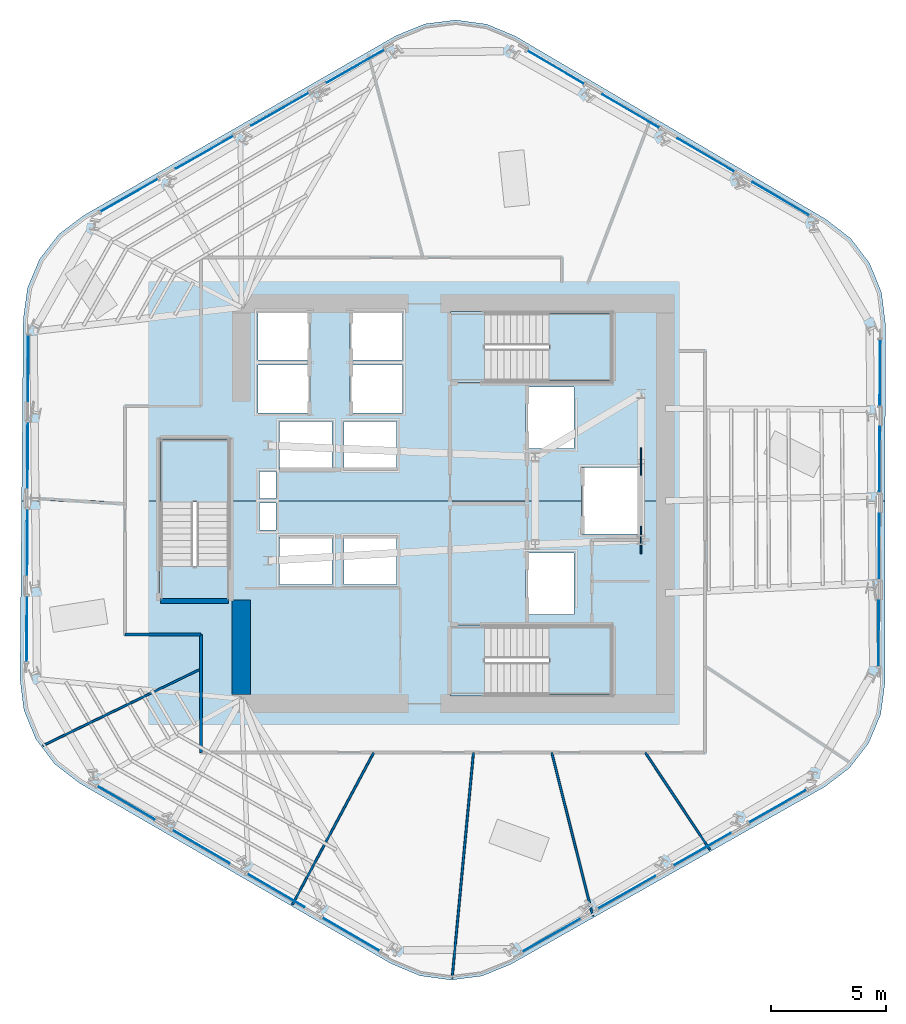
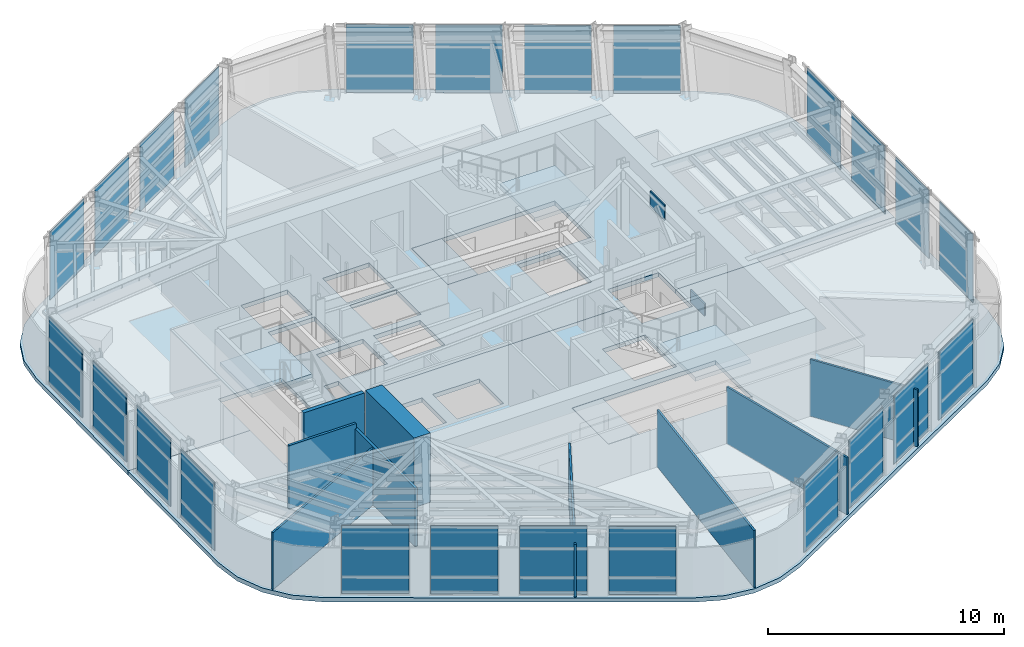
# One storey, part 7 of 16: 26 plates, 9 walls, 8 slabs, 9 elements without a shape of their own.
"""IFC4 building model written with IfcOpenShell, lengths in metres."""

from ifc_helpers import new_model, si_unit, direction, frame, frame_2d, origin, origin_2d, place, context, subcontext, project, spatial, polyline, rectangle, outline, extrude, material, layer, layer_set, type_object, element, aggregate, save


model = new_model("IFC4")

# Units and contexts
model_context = context("Model", 3, precision=1e-05, world=origin(), true_north=direction((0.0, 1.0)))
body_context = subcontext(model_context, "Body", "Model", "MODEL_VIEW")
ifc_project = project(units=[si_unit("LENGTHUNIT", "METRE"), si_unit("AREAUNIT", "SQUARE_METRE"), si_unit("VOLUMEUNIT", "CUBIC_METRE"), si_unit("PLANEANGLEUNIT", "RADIAN"), si_unit("MASSUNIT", "GRAM", prefix="KILO")], contexts=[model_context])

# Site, building, storey
site_placement = place(None, origin())
site = spatial("IfcSite", under=ifc_project, at=site_placement, CompositionType="ELEMENT")
building_placement = place(site_placement, origin())
building = spatial("IfcBuilding", under=site, at=building_placement, Name="Valkerne Bourse Tower", CompositionType="ELEMENT")
storey_placement = place(building_placement, frame((0.0, 0.0, 151.39990234375)))
storey = spatial("IfcBuildingStorey", under=building, at=storey_placement, Name="L38", CompositionType="ELEMENT", Elevation=151.39990234375)

# Curtain wall, plates
ifc_material_1 = material(Name="Aluminium AA 6063-T6", Category="aluminium")
ifc_layer_1 = layer(ifc_material_1, 0.235107421875)
ifc_layer_set_1 = layer_set([ifc_layer_1], Name="Aluminium AA 6063-T6")
curtain_wall_type = type_object("IfcCurtainWallType", Name="CW-03", PredefinedType="NOTDEFINED", material=ifc_layer_set_1)
curtain_wall_1_placement = place(storey_placement, origin())
curtain_wall_1 = element("IfcCurtainWall", 1, at=curtain_wall_1_placement, inside=storey, type_object=curtain_wall_type, Name="L38 Hexagonal Stick Curtain Wall Face 1", PredefinedType="NOTDEFINED")
ifc_material_2 = material(Name="Glass IGU Low-E Double Glazed", Category="glass")
ifc_layer_2 = layer(ifc_material_2, 0.031982421875)
ifc_layer_set_2 = layer_set([ifc_layer_2], Name="Glass IGU Low-E Double Glazed")
plate_type_1 = type_object("IfcPlateType", Name="CW-PNL-IGU-32", PredefinedType="CURTAIN_PANEL", material=ifc_layer_set_2)
plate_1_placement = place(storey_placement, frame((61.009033203125, 40.1044921875, 0.030029296875), z_axis=(0.0, 0.0, 1.0), x_axis=(-0.863394897146, 0.504528742077, 0.0)))
plate_1 = element("IfcPlate", 2, at=plate_1_placement, type_object=plate_type_1, Name="CW-L38-F1 Curtain Panel 00", PredefinedType="CURTAIN_PANEL", context=body_context, shape_type="SweptSolid", body=[
    extrude(rectangle(XDim=2.85107421875, YDim=0.031982421875, at=origin_2d()), origin(), (0.0, 0.0, 1.0), 3.52001953125),
])
plate_2_placement = place(storey_placement, frame((57.75341796875, 42.007080078125, 0.030029296875), z_axis=(0.0, 0.0, 1.0), x_axis=(-0.863388146814, 0.504540293675, 0.0)))
plate_2 = element("IfcPlate", 3, at=plate_2_placement, type_object=plate_type_1, Name="CW-L38-F1 Curtain Panel 01", PredefinedType="CURTAIN_PANEL", context=body_context, shape_type="SweptSolid", body=[
    extrude(rectangle(XDim=2.850830078125, YDim=0.031982421875, at=origin_2d()), origin(), (0.0, 0.0, 1.0), 3.52001953125),
])
plate_3_placement = place(storey_placement, frame((54.497314453125, 43.90966796875, 0.030029296875), z_axis=(0.0, 0.0, 1.0), x_axis=(-0.863394897146, 0.504528742077, 0.0)))
plate_3 = element("IfcPlate", 4, at=plate_3_placement, type_object=plate_type_1, Name="CW-L38-F1 Curtain Panel 02", PredefinedType="CURTAIN_PANEL", context=body_context, shape_type="SweptSolid", body=[
    extrude(rectangle(XDim=2.85107421875, YDim=0.031982421875, at=origin_2d()), origin(), (0.0, 0.0, 1.0), 3.52001953125),
])
plate_4_placement = place(storey_placement, frame((51.241455078125, 45.812255859375, 0.030029296875), z_axis=(0.0, 0.0, 1.0), x_axis=(-0.863406448459, 0.504508973914, 0.0)))
plate_4 = element("IfcPlate", 5, at=plate_4_placement, type_object=plate_type_1, Name="CW-L38-F1 Curtain Panel 03", PredefinedType="CURTAIN_PANEL", context=body_context, shape_type="SweptSolid", body=[
    extrude(rectangle(XDim=2.85107421875, YDim=0.031982421875, at=origin_2d()), origin(), (0.0, 0.0, 1.0), 3.52001953125),
])
aggregate(curtain_wall_1, [plate_1, plate_2, plate_3, plate_4])

curtain_wall_2_placement = place(storey_placement, origin())
curtain_wall_2 = element("IfcCurtainWall", 6, at=curtain_wall_2_placement, inside=storey, type_object=curtain_wall_type, Name="L38 Hexagonal Stick Curtain Wall Face 2", PredefinedType="NOTDEFINED")
plate_5_placement = place(storey_placement, frame((42.555908203125, 45.857666015625, 0.030029296875), z_axis=(0.0, 0.0, 1.0), x_axis=(-0.868639418098, -0.495444811585, 0.0)))
plate_5 = element("IfcPlate", 7, at=plate_5_placement, type_object=plate_type_1, Name="CW-L38-F2 Curtain Panel 00", PredefinedType="CURTAIN_PANEL", context=body_context, shape_type="SweptSolid", body=[
    extrude(rectangle(XDim=2.85107421875, YDim=0.031982421875, at=origin_2d()), origin(), (0.0, 0.0, 1.0), 3.52001953125),
])
plate_6_placement = place(storey_placement, frame((39.280029296875, 43.9892578125, 0.030029296875), z_axis=(0.0, 0.0, 1.0), x_axis=(-0.868628005446, -0.4954648203, 0.0)))
plate_6 = element("IfcPlate", 8, at=plate_6_placement, type_object=plate_type_1, Name="CW-L38-F2 Curtain Panel 01", PredefinedType="CURTAIN_PANEL", context=body_context, shape_type="SweptSolid", body=[
    extrude(rectangle(XDim=2.85107421875, YDim=0.031982421875, at=origin_2d()), origin(), (0.0, 0.0, 1.0), 3.52001953125),
])
plate_7_placement = place(storey_placement, frame((36.004638671875, 42.120849609375, 0.030029296875), z_axis=(0.0, 0.0, 1.0), x_axis=(-0.868628005446, -0.4954648203, 0.0)))
plate_7 = element("IfcPlate", 9, at=plate_7_placement, type_object=plate_type_1, Name="CW-L38-F2 Curtain Panel 02", PredefinedType="CURTAIN_PANEL", context=body_context, shape_type="SweptSolid", body=[
    extrude(rectangle(XDim=2.85107421875, YDim=0.031982421875, at=origin_2d()), origin(), (0.0, 0.0, 1.0), 3.52001953125),
])
plate_8_placement = place(storey_placement, frame((32.72900390625, 40.25244140625, 0.030029296875), z_axis=(0.0, 0.0, 1.0), x_axis=(-0.868628005446, -0.4954648203, 0.0)))
plate_8 = element("IfcPlate", 10, at=plate_8_placement, type_object=plate_type_1, Name="CW-L38-F2 Curtain Panel 03", PredefinedType="CURTAIN_PANEL", context=body_context, shape_type="SweptSolid", body=[
    extrude(rectangle(XDim=2.85107421875, YDim=0.031982421875, at=origin_2d()), origin(), (0.0, 0.0, 1.0), 3.52001953125),
])
aggregate(curtain_wall_2, [plate_5, plate_6, plate_7, plate_8])

curtain_wall_3_placement = place(storey_placement, origin())
curtain_wall_3 = element("IfcCurtainWall", 11, at=curtain_wall_3_placement, inside=storey, type_object=curtain_wall_type, Name="L38 Hexagonal Stick Curtain Wall Face 3", PredefinedType="NOTDEFINED")
plate_9_placement = place(storey_placement, frame((28.3466796875, 32.753173828125, 0.030029296875), z_axis=(0.0, 0.0, 1.0), x_axis=(-0.005224007215, -0.999986354781, 0.0)))
plate_9 = element("IfcPlate", 12, at=plate_9_placement, type_object=plate_type_1, Name="CW-L38-F3 Curtain Panel 00", PredefinedType="CURTAIN_PANEL", context=body_context, shape_type="SweptSolid", body=[
    extrude(rectangle(XDim=2.85107421875, YDim=0.031982421875, at=origin_2d()), origin(), (0.0, 0.0, 1.0), 3.52001953125),
])
plate_10_placement = place(storey_placement, frame((28.326904296875, 28.982421875, 0.030029296875), z_axis=(0.0, 0.0, 1.0), x_axis=(-0.005250663525, -0.999986215171, 0.0)))
plate_10 = element("IfcPlate", 13, at=plate_10_placement, type_object=plate_type_1, Name="CW-L38-F3 Curtain Panel 01", PredefinedType="CURTAIN_PANEL", context=body_context, shape_type="SweptSolid", body=[
    extrude(rectangle(XDim=2.850830078125, YDim=0.031982421875, at=origin_2d()), origin(), (0.0, 0.0, 1.0), 3.52001953125),
])
plate_11_placement = place(storey_placement, frame((28.30712890625, 25.211181640625, 0.030029296875), z_axis=(0.0, 0.0, 1.0), x_axis=(-0.005224007215, -0.999986354781, 0.0)))
plate_11 = element("IfcPlate", 14, at=plate_11_placement, type_object=plate_type_1, Name="CW-L38-F3 Curtain Panel 02", PredefinedType="CURTAIN_PANEL", context=body_context, shape_type="SweptSolid", body=[
    extrude(rectangle(XDim=2.85107421875, YDim=0.031982421875, at=origin_2d()), origin(), (0.0, 0.0, 1.0), 3.52001953125),
])
plate_12_placement = place(storey_placement, frame((28.287353515625, 21.4404296875, 0.030029296875), z_axis=(0.0, 0.0, 1.0), x_axis=(-0.005250663525, -0.999986215171, 0.0)))
plate_12 = element("IfcPlate", 15, at=plate_12_placement, type_object=plate_type_1, Name="CW-L38-F3 Curtain Panel 03", PredefinedType="CURTAIN_PANEL", context=body_context, shape_type="SweptSolid", body=[
    extrude(rectangle(XDim=2.850830078125, YDim=0.031982421875, at=origin_2d()), origin(), (0.0, 0.0, 1.0), 3.52001953125),
])
aggregate(curtain_wall_3, [plate_9, plate_10, plate_11, plate_12])

curtain_wall_4_placement = place(storey_placement, origin())
curtain_wall_4 = element("IfcCurtainWall", 16, at=curtain_wall_4_placement, inside=storey, type_object=curtain_wall_type, Name="L38 Hexagonal Stick Curtain Wall Face 4", PredefinedType="NOTDEFINED")
plate_13_placement = place(storey_placement, frame((32.5908203125, 13.8955078125, 0.030029296875), z_axis=(0.0, 0.0, 1.0), x_axis=(0.863394897146, -0.504528742077, 0.0)))
plate_13 = element("IfcPlate", 17, at=plate_13_placement, type_object=plate_type_1, Name="CW-L38-F4 Curtain Panel 00", PredefinedType="CURTAIN_PANEL", context=body_context, shape_type="SweptSolid", body=[
    extrude(rectangle(XDim=2.85107421875, YDim=0.031982421875, at=origin_2d()), origin(), (0.0, 0.0, 1.0), 3.52001953125),
])
plate_14_placement = place(storey_placement, frame((35.8466796875, 11.992919921875, 0.030029296875), z_axis=(0.0, 0.0, 1.0), x_axis=(0.863388146814, -0.504540293675, 0.0)))
plate_14 = element("IfcPlate", 18, at=plate_14_placement, type_object=plate_type_1, Name="CW-L38-F4 Curtain Panel 01", PredefinedType="CURTAIN_PANEL", context=body_context, shape_type="SweptSolid", body=[
    extrude(rectangle(XDim=2.850830078125, YDim=0.031982421875, at=origin_2d()), origin(), (0.0, 0.0, 1.0), 3.52001953125),
])
plate_15_placement = place(storey_placement, frame((39.1025390625, 10.09033203125, 0.030029296875), z_axis=(0.0, 0.0, 1.0), x_axis=(0.863394897146, -0.504528742077, 0.0)))
plate_15 = element("IfcPlate", 19, at=plate_15_placement, type_object=plate_type_1, Name="CW-L38-F4 Curtain Panel 02", PredefinedType="CURTAIN_PANEL", context=body_context, shape_type="SweptSolid", body=[
    extrude(rectangle(XDim=2.85107421875, YDim=0.031982421875, at=origin_2d()), origin(), (0.0, 0.0, 1.0), 3.52001953125),
])
plate_16_placement = place(storey_placement, frame((42.3583984375, 8.187744140625, 0.030029296875), z_axis=(0.0, 0.0, 1.0), x_axis=(0.863406448459, -0.504508973914, 0.0)))
plate_16 = element("IfcPlate", 20, at=plate_16_placement, type_object=plate_type_1, Name="CW-L38-F4 Curtain Panel 03", PredefinedType="CURTAIN_PANEL", context=body_context, shape_type="SweptSolid", body=[
    extrude(rectangle(XDim=2.85107421875, YDim=0.031982421875, at=origin_2d()), origin(), (0.0, 0.0, 1.0), 3.52001953125),
])
aggregate(curtain_wall_4, [plate_13, plate_14, plate_15, plate_16])

curtain_wall_5_placement = place(storey_placement, origin())
curtain_wall_5 = element("IfcCurtainWall", 21, at=curtain_wall_5_placement, inside=storey, type_object=curtain_wall_type, Name="L38 Hexagonal Stick Curtain Wall Face 5", PredefinedType="NOTDEFINED")
plate_17_placement = place(storey_placement, frame((51.044189453125, 8.142333984375, 0.030029296875), z_axis=(0.0, 0.0, 1.0), x_axis=(0.868639418098, 0.495444811585, 0.0)))
plate_17 = element("IfcPlate", 22, at=plate_17_placement, type_object=plate_type_1, Name="CW-L38-F5 Curtain Panel 00", PredefinedType="CURTAIN_PANEL", context=body_context, shape_type="SweptSolid", body=[
    extrude(rectangle(XDim=2.85107421875, YDim=0.031982421875, at=origin_2d()), origin(), (0.0, 0.0, 1.0), 3.52001953125),
])
plate_18_placement = place(storey_placement, frame((54.31982421875, 10.0107421875, 0.030029296875), z_axis=(0.0, 0.0, 1.0), x_axis=(0.868628005446, 0.4954648203, 0.0)))
plate_18 = element("IfcPlate", 23, at=plate_18_placement, type_object=plate_type_1, Name="CW-L38-F5 Curtain Panel 01", PredefinedType="CURTAIN_PANEL", context=body_context, shape_type="SweptSolid", body=[
    extrude(rectangle(XDim=2.85107421875, YDim=0.031982421875, at=origin_2d()), origin(), (0.0, 0.0, 1.0), 3.52001953125),
])
plate_19_placement = place(storey_placement, frame((57.595458984375, 11.879150390625, 0.030029296875), z_axis=(0.0, 0.0, 1.0), x_axis=(0.868628005446, 0.4954648203, 0.0)))
plate_19 = element("IfcPlate", 24, at=plate_19_placement, type_object=plate_type_1, Name="CW-L38-F5 Curtain Panel 02", PredefinedType="CURTAIN_PANEL", context=body_context, shape_type="SweptSolid", body=[
    extrude(rectangle(XDim=2.85107421875, YDim=0.031982421875, at=origin_2d()), origin(), (0.0, 0.0, 1.0), 3.52001953125),
])
plate_20_placement = place(storey_placement, frame((60.87109375, 13.74755859375, 0.030029296875), z_axis=(0.0, 0.0, 1.0), x_axis=(0.868628005446, 0.4954648203, 0.0)))
plate_20 = element("IfcPlate", 25, at=plate_20_placement, type_object=plate_type_1, Name="CW-L38-F5 Curtain Panel 03", PredefinedType="CURTAIN_PANEL", context=body_context, shape_type="SweptSolid", body=[
    extrude(rectangle(XDim=2.85107421875, YDim=0.031982421875, at=origin_2d()), origin(), (0.0, 0.0, 1.0), 3.52001953125),
])
aggregate(curtain_wall_5, [plate_17, plate_18, plate_19, plate_20])

curtain_wall_6_placement = place(storey_placement, origin())
curtain_wall_6 = element("IfcCurtainWall", 26, at=curtain_wall_6_placement, inside=storey, type_object=curtain_wall_type, Name="L38 Hexagonal Stick Curtain Wall Face 6", PredefinedType="NOTDEFINED")
plate_21_placement = place(storey_placement, frame((65.25341796875, 21.246826171875, 0.030029296875), z_axis=(0.0, 0.0, 1.0), x_axis=(0.005224007215, 0.999986354781, 0.0)))
plate_21 = element("IfcPlate", 27, at=plate_21_placement, type_object=plate_type_1, Name="CW-L38-F6 Curtain Panel 00", PredefinedType="CURTAIN_PANEL", context=body_context, shape_type="SweptSolid", body=[
    extrude(rectangle(XDim=2.85107421875, YDim=0.031982421875, at=origin_2d()), origin(), (0.0, 0.0, 1.0), 3.52001953125),
])
plate_22_placement = place(storey_placement, frame((65.273193359375, 25.017578125, 0.030029296875), z_axis=(0.0, 0.0, 1.0), x_axis=(0.005250663525, 0.999986215171, 0.0)))
plate_22 = element("IfcPlate", 28, at=plate_22_placement, type_object=plate_type_1, Name="CW-L38-F6 Curtain Panel 01", PredefinedType="CURTAIN_PANEL", context=body_context, shape_type="SweptSolid", body=[
    extrude(rectangle(XDim=2.850830078125, YDim=0.031982421875, at=origin_2d()), origin(), (0.0, 0.0, 1.0), 3.52001953125),
])
plate_23_placement = place(storey_placement, frame((65.29296875, 28.788818359375, 0.030029296875), z_axis=(0.0, 0.0, 1.0), x_axis=(0.005224007215, 0.999986354781, 0.0)))
plate_23 = element("IfcPlate", 29, at=plate_23_placement, type_object=plate_type_1, Name="CW-L38-F6 Curtain Panel 02", PredefinedType="CURTAIN_PANEL", context=body_context, shape_type="SweptSolid", body=[
    extrude(rectangle(XDim=2.85107421875, YDim=0.031982421875, at=origin_2d()), origin(), (0.0, 0.0, 1.0), 3.52001953125),
])
plate_24_placement = place(storey_placement, frame((65.3125, 32.559814453125, 0.030029296875), z_axis=(0.0, 0.0, 1.0), x_axis=(0.005250663525, 0.999986215171, 0.0)))
plate_24 = element("IfcPlate", 30, at=plate_24_placement, type_object=plate_type_1, Name="CW-L38-F6 Curtain Panel 03", PredefinedType="CURTAIN_PANEL", context=body_context, shape_type="SweptSolid", body=[
    extrude(rectangle(XDim=2.850830078125, YDim=0.031982421875, at=origin_2d()), origin(), (0.0, 0.0, 1.0), 3.52001953125),
])
aggregate(curtain_wall_6, [plate_21, plate_22, plate_23, plate_24])

# Plates
ifc_material_3 = material(Name="Steel ASTM A572 Grade 50", Category="steel")
ifc_layer_3 = layer(ifc_material_3, 0.06005859375)
ifc_layer_set_3 = layer_set([ifc_layer_3], Name="Steel ASTM A572 Grade 50")
plate_type_2 = type_object("IfcPlateType", Name="PLT-GUS-60", PredefinedType="SHEET", material=ifc_layer_set_3)
for number, where, z_axis, x_axis, name in (
    (31, (54.949951171875, 25.300048828125, -0.1796875), (0.0, 0.0, 1.0), (0.0, 1.0, 0.0), "L38 Brace Node Gusset Plate PLT-GUS-END-L38-392"),
    (32, (54.949951171875, 28.699951171875, 2.8740234375), (0.0, 0.0, 1.0), (0.0, 1.0, 0.0), "L38 Brace Node Gusset Plate PLT-GUS-END-L38-393"),
):
    element("IfcPlate", number, at=place(storey_placement, frame(where, z_axis=z_axis, x_axis=x_axis)), inside=storey, type_object=plate_type_2, Name=name, PredefinedType="SHEET", context=body_context, shape_type="SweptSolid", body=[
        extrude(rectangle(XDim=1.199951171875, YDim=0.06005859375, at=origin_2d()), origin(), (0.0, 0.0, 1.0), 0.800048828125),
    ])

# Slabs
ifc_material_4 = material(Name="Concrete C40/50", Category="concrete")
ifc_layer_4 = layer(ifc_material_4, 0.25)
ifc_layer_set_4 = layer_set([ifc_layer_4], Name="Concrete C40/50")
slab_type_1 = type_object("IfcSlabType", Name="SLB-RMP-LND-250", PredefinedType="LANDING", material=ifc_layer_set_4)
slab_1_placement = place(storey_placement, frame((0.0, 0.0, -0.219970703125)))
element("IfcSlab", 33, at=slab_1_placement, inside=storey, type_object=slab_type_1, Name="L38 ST-1 Floor Landing Slab", PredefinedType="LANDING", context=body_context, shape_type="SweptSolid", body=[
    extrude(outline(polyline([(46.669921875, 18.5400390625), (48.14990234375, 18.5400390625), (48.14990234375, 21.610107421875), (46.669921875, 21.610107421875), (46.669921875, 18.5400390625)])), origin(), (0.0, 0.0, 1.0), 0.219970703125),
])
slab_2_placement = place(storey_placement, frame((0.0, 0.0, -0.219970703125)))
element("IfcSlab", 34, at=slab_2_placement, inside=storey, type_object=slab_type_1, Name="L38 ST-2 Floor Landing Slab", PredefinedType="LANDING", context=body_context, shape_type="SweptSolid", body=[
    extrude(outline(polyline([(46.669921875, 32.139892578125), (48.14990234375, 32.139892578125), (48.14990234375, 35.2099609375), (46.669921875, 35.2099609375), (46.669921875, 32.139892578125)])), origin(), (0.0, 0.0, 1.0), 0.219970703125),
])
slab_3_placement = place(storey_placement, frame((0.0, 0.0, -0.219970703125)))
element("IfcSlab", 35, at=slab_3_placement, inside=storey, type_object=slab_type_1, Name="L38 ST-3 Floor Landing Slab", PredefinedType="LANDING", context=body_context, shape_type="SweptSolid", body=[
    extrude(outline(polyline([(37.110107421875, 22.669921875), (37.110107421875, 24.14990234375), (34.0400390625, 24.14990234375), (34.0400390625, 22.669921875), (37.110107421875, 22.669921875)])), origin(), (0.0, 0.0, 1.0), 0.219970703125),
])

# Stair, slab
stair_type = type_object("IfcStairType", Name="ST-CORE-1400", PredefinedType="HALF_TURN_STAIR", material=ifc_material_4)
stair_1_placement = place(storey_placement, origin())
stair_1 = element("IfcStair", 36, at=stair_1_placement, inside=storey, type_object=stair_type, Name="L38 ST-1", PredefinedType="HALF_TURN_STAIR")
ifc_layer_5 = layer(ifc_material_4, 0.179931640625)
ifc_layer_set_5 = layer_set([ifc_layer_5], Name="Concrete C40/50")
slab_type_2 = type_object("IfcSlabType", Name="SLB-ST-LND-180", PredefinedType="LANDING", material=ifc_layer_set_5)
slab_4_placement = place(storey_placement, frame((0.0, 0.0, 1.7001953125)))
slab_4 = element("IfcSlab", 37, at=slab_4_placement, type_object=slab_type_2, Name="ST-1 landing 1", PredefinedType="LANDING", context=body_context, shape_type="SweptSolid", body=[
    extrude(outline(polyline([(50.949951171875, 18.60009765625), (53.64990234375, 18.60009765625), (53.64990234375, 21.550048828125), (50.949951171875, 21.550048828125), (50.949951171875, 18.60009765625)])), origin(), (0.0, 0.0, 1.0), 0.199951171875),
])
aggregate(stair_1, [slab_4])

stair_2_placement = place(storey_placement, origin())
stair_2 = element("IfcStair", 38, at=stair_2_placement, inside=storey, type_object=stair_type, Name="L38 ST-2", PredefinedType="HALF_TURN_STAIR")
slab_5_placement = place(storey_placement, frame((0.0, 0.0, 1.7001953125)))
slab_5 = element("IfcSlab", 39, at=slab_5_placement, type_object=slab_type_2, Name="ST-2 landing 1", PredefinedType="LANDING", context=body_context, shape_type="SweptSolid", body=[
    extrude(outline(polyline([(50.949951171875, 32.199951171875), (53.64990234375, 32.199951171875), (53.64990234375, 35.14990234375), (50.949951171875, 35.14990234375), (50.949951171875, 32.199951171875)])), origin(), (0.0, 0.0, 1.0), 0.199951171875),
])
aggregate(stair_2, [slab_5])

stair_3_placement = place(storey_placement, origin())
stair_3 = element("IfcStair", 40, at=stair_3_placement, inside=storey, type_object=stair_type, Name="L38 ST-3", PredefinedType="HALF_TURN_STAIR")
slab_6_placement = place(storey_placement, frame((0.0, 0.0, 1.7001953125)))
slab_6 = element("IfcSlab", 41, at=slab_6_placement, type_object=slab_type_2, Name="ST-3 landing 1", PredefinedType="LANDING", context=body_context, shape_type="SweptSolid", body=[
    extrude(outline(polyline([(37.050048828125, 26.949951171875), (37.050048828125, 29.64990234375), (34.10009765625, 29.64990234375), (34.10009765625, 26.949951171875), (37.050048828125, 26.949951171875)])), origin(), (0.0, 0.0, 1.0), 0.199951171875),
])
aggregate(stair_3, [slab_6])

# Slabs
ifc_layer_6 = layer(ifc_material_4, 0.219970703125)
ifc_layer_set_6 = layer_set([ifc_layer_6], Name="Concrete C40/50")
slab_type_3 = type_object("IfcSlabType", Name="SLB-TOW-220", PredefinedType="FLOOR", material=ifc_layer_set_6)
slab_7_placement = place(storey_placement, frame((0.0, 0.0, -0.219970703125)))
element("IfcSlab", 42, at=slab_7_placement, inside=storey, type_object=slab_type_3, Name="L38 Hexagonal Composite Floor Slab S", PredefinedType="FLOOR", context=body_context, shape_type="SweptSolid", body=[
    extrude(outline(polyline([(65.34130859375, 17.72412109375), (64.815185546875, 16.472900390625), (63.983154296875, 15.400146484375), (62.902099609375, 14.579345703125), (49.294677734375, 6.8876953125), (48.037841796875, 6.375), (46.691162109375, 6.20458984375), (45.34619140625, 6.388916015625), (44.0947265625, 6.9150390625), (30.56884765625, 14.748779296875), (29.49609375, 15.580810546875), (28.675537109375, 16.662109375), (28.16259765625, 17.918701171875), (27.992431640625, 19.265625), (28.06298828125, 27.0), (34.034912109375, 27.0), (34.034912109375, 22.6650390625), (37.114990234375, 22.6650390625), (37.114990234375, 27.0), (52.360107421875, 27.0), (52.360107421875, 25.56005859375), (54.840087890625, 25.56005859375), (54.840087890625, 27.0), (65.536376953125, 27.0), (65.525390625, 19.069091796875), (65.34130859375, 17.72412109375)]), holes=[polyline([(41.5400390625, 25.43994140625), (39.260009765625, 25.43994140625), (39.260009765625, 23.360107421875), (41.5400390625, 23.360107421875), (41.5400390625, 25.43994140625)]), polyline([(44.340087890625, 25.43994140625), (42.06005859375, 25.43994140625), (42.06005859375, 23.360107421875), (44.340087890625, 23.360107421875), (44.340087890625, 25.43994140625)]), polyline([(39.10009765625, 26.89990234375), (38.3798828125, 26.89990234375), (38.3798828125, 25.72998046875), (39.10009765625, 25.72998046875), (39.10009765625, 26.89990234375)]), polyline([(53.675048828125, 21.614990234375), (46.6650390625, 21.614990234375), (46.6650390625, 18.534912109375), (53.675048828125, 18.534912109375), (53.675048828125, 21.614990234375)]), polyline([(52.0400390625, 24.739990234375), (49.9599609375, 24.739990234375), (49.9599609375, 22.06005859375), (52.0400390625, 22.06005859375), (52.0400390625, 24.739990234375)])]), origin(), (0.0, 0.0, 1.0), 0.219970703125),
])
slab_8_placement = place(storey_placement, frame((0.0, 0.0, -0.219970703125)))
element("IfcSlab", 43, at=slab_8_placement, inside=storey, type_object=slab_type_3, Name="L38 Hexagonal Composite Floor Slab N", PredefinedType="FLOOR", context=body_context, shape_type="SweptSolid", body=[
    extrude(outline(polyline([(28.135009765625, 34.8955078125), (28.319091796875, 36.240478515625), (28.84521484375, 37.491943359375), (29.67724609375, 38.564453125), (30.758544921875, 39.38525390625), (44.3056640625, 47.18212890625), (45.5625, 47.695068359375), (46.9091796875, 47.865234375), (48.254150390625, 47.680908203125), (49.505615234375, 47.155029296875), (62.97021484375, 39.216552734375), (64.04296875, 38.384521484375), (64.86376953125, 37.30322265625), (65.376708984375, 36.04638671875), (65.546630859375, 34.69970703125), (65.536376953125, 27.0), (54.840087890625, 27.0), (54.840087890625, 28.43994140625), (52.360107421875, 28.43994140625), (52.360107421875, 27.0), (37.114990234375, 27.0), (37.114990234375, 29.675048828125), (34.034912109375, 29.675048828125), (34.034912109375, 27.0), (28.06298828125, 27.0), (28.135009765625, 34.8955078125)]), holes=[polyline([(39.10009765625, 28.27001953125), (38.3798828125, 28.27001953125), (38.3798828125, 27.10009765625), (39.10009765625, 27.10009765625), (39.10009765625, 28.27001953125)]), polyline([(41.5400390625, 30.43994140625), (39.260009765625, 30.43994140625), (39.260009765625, 28.360107421875), (41.5400390625, 28.360107421875), (41.5400390625, 30.43994140625)]), polyline([(40.590087890625, 32.889892578125), (38.31005859375, 32.889892578125), (38.31005859375, 30.81005859375), (40.590087890625, 30.81005859375), (40.590087890625, 32.889892578125)]), polyline([(40.590087890625, 35.18994140625), (38.31005859375, 35.18994140625), (38.31005859375, 33.110107421875), (40.590087890625, 33.110107421875), (40.590087890625, 35.18994140625)]), polyline([(44.340087890625, 30.43994140625), (42.06005859375, 30.43994140625), (42.06005859375, 28.360107421875), (44.340087890625, 28.360107421875), (44.340087890625, 30.43994140625)]), polyline([(52.0400390625, 31.93994140625), (49.9599609375, 31.93994140625), (49.9599609375, 29.260009765625), (52.0400390625, 29.260009765625), (52.0400390625, 31.93994140625)]), polyline([(44.590087890625, 32.889892578125), (42.31005859375, 32.889892578125), (42.31005859375, 30.81005859375), (44.590087890625, 30.81005859375), (44.590087890625, 32.889892578125)]), polyline([(53.675048828125, 35.215087890625), (46.6650390625, 35.215087890625), (46.6650390625, 32.135009765625), (53.675048828125, 32.135009765625), (53.675048828125, 35.215087890625)]), polyline([(44.590087890625, 35.18994140625), (42.31005859375, 35.18994140625), (42.31005859375, 33.110107421875), (44.590087890625, 33.110107421875), (44.590087890625, 35.18994140625)])]), origin(), (0.0, 0.0, 1.0), 0.219970703125),
])

# Walls
ifc_material_5 = material(Name="Concrete C55/67", Category="concrete")
ifc_layer_7 = layer(ifc_material_5, 0.800048828125)
ifc_layer_set_7 = layer_set([ifc_layer_7], Name="Concrete C55/67")
wall_type_1 = type_object("IfcWallType", Name="W-CORE-800", PredefinedType="SHEAR", material=ifc_layer_set_7)
wall_1_placement = place(storey_placement, frame((37.60009765625, 18.60009765625, 0.0), z_axis=(0.0, 0.0, 1.0), x_axis=(0.0, 1.0, 0.0)))
element("IfcWall", 44, at=wall_1_placement, inside=storey, type_object=wall_type_1, Name="L38 Core Shear Wall WEST-S", PredefinedType="SHEAR", context=body_context, shape_type="SweptSolid", body=[
    extrude(rectangle(XDim=4.099853515625, YDim=0.800048828125, at=frame_2d((2.0498046875, 0.0))), origin(), (0.0, 0.0, 1.0), 3.580078125),
])
ifc_material_6 = material(Name="Gypsum Board Steel-Stud Partition", Category="steel")
ifc_layer_8 = layer(ifc_material_6, 0.117919921875)
ifc_layer_set_8 = layer_set([ifc_layer_8], Name="Gypsum Board Steel-Stud Partition")
wall_type_2 = type_object("IfcWallType", Name="W-CORR-140", PredefinedType="PARTITIONING", material=ifc_layer_set_8)
wall_2_placement = place(storey_placement, frame((35.85009765625, 16.080078125, 0.0), z_axis=(0.0, 0.0, 1.0), x_axis=(0.0, 1.0, 0.0)))
element("IfcWall", 45, at=wall_2_placement, inside=storey, type_object=wall_type_2, Name="L38 Corridor Enclosure Wall", PredefinedType="PARTITIONING", context=body_context, shape_type="SweptSolid", body=[
    extrude(rectangle(XDim=5.119873046875, YDim=0.117919921875, at=frame_2d((2.56005859375, 0.0))), origin(), (0.0, 0.0, 1.0), 3.021484375),
])
wall_3_placement = place(storey_placement, frame((35.85009765625, 21.199951171875, 0.0), z_axis=(0.0, 0.0, 1.0), x_axis=(-1.0, 0.0, 0.0)))
element("IfcWall", 46, at=wall_3_placement, inside=storey, type_object=wall_type_2, Name="L38 Corridor Enclosure Wall", PredefinedType="PARTITIONING", context=body_context, shape_type="SweptSolid", body=[
    extrude(rectangle(XDim=3.300048828125, YDim=0.117919921875, at=frame_2d((1.64990234375, 0.0))), origin(), (0.0, 0.0, 1.0), 3.280029296875),
])
ifc_layer_9 = layer(ifc_material_6, 0.092041015625)
ifc_layer_set_9 = layer_set([ifc_layer_9], Name="Gypsum Board Steel-Stud Partition")
wall_type_3 = type_object("IfcWallType", Name="W-PART-115", PredefinedType="PARTITIONING", material=ifc_layer_set_9)
wall_4_placement = place(storey_placement, frame((47.67138671875, 16.074951171875, 0.0), z_axis=(0.0, 0.0, 1.0), x_axis=(-0.094115684273, -0.995561267815, 0.0)))
element("IfcWall", 47, at=wall_4_placement, inside=storey, type_object=wall_type_3, Name="L38 Suite Partition P01", PredefinedType="PARTITIONING", context=body_context, shape_type="SweptSolid", body=[
    extrude(rectangle(XDim=9.836669921875, YDim=0.092041015625, at=frame_2d((4.91845703125, 0.0))), origin(), (0.0, 0.0, 1.0), 2.942626953125),
])
wall_5_placement = place(storey_placement, frame((51.06787109375, 16.074951171875, 0.0), z_axis=(0.0, 0.0, 1.0), x_axis=(0.243626683011, -0.969869083601, 0.0)))
element("IfcWall", 48, at=wall_5_placement, inside=storey, type_object=wall_type_3, Name="L38 Suite Partition P02", PredefinedType="PARTITIONING", context=body_context, shape_type="SweptSolid", body=[
    extrude(rectangle(XDim=7.3173828125, YDim=0.092041015625, at=frame_2d((3.65869140625, 0.0))), origin(), (0.0, 0.0, 1.0), 2.942626953125),
])
wall_6_placement = place(storey_placement, frame((55.127685546875, 16.074951171875, 0.0), z_axis=(0.0, 0.0, 1.0), x_axis=(0.553410651524, -0.83290854887, 0.0)))
element("IfcWall", 49, at=wall_6_placement, inside=storey, type_object=wall_type_3, Name="L38 Suite Partition P03", PredefinedType="PARTITIONING", context=body_context, shape_type="SweptSolid", body=[
    extrude(rectangle(XDim=5.070556640625, YDim=0.092041015625, at=frame_2d((2.53515625, 0.0))), origin(), (0.0, 0.0, 1.0), 2.942626953125),
])
wall_7_placement = place(storey_placement, frame((35.844970703125, 19.705810546875, 0.0), z_axis=(0.0, 0.0, 1.0), x_axis=(-0.899526484188, -0.436866231523, 0.0)))
element("IfcWall", 50, at=wall_7_placement, inside=storey, type_object=wall_type_3, Name="L38 Suite Partition P08", PredefinedType="PARTITIONING", context=body_context, shape_type="SweptSolid", body=[
    extrude(rectangle(XDim=7.62890625, YDim=0.092041015625, at=frame_2d((3.814453125, 0.0))), origin(), (0.0, 0.0, 1.0), 2.942626953125),
])
wall_8_placement = place(storey_placement, frame((43.343994140625, 16.074951171875, 0.0), z_axis=(0.0, 0.0, 1.0), x_axis=(-0.471717132313, -0.881749934552, 0.0)))
element("IfcWall", 51, at=wall_8_placement, inside=storey, type_object=wall_type_3, Name="L38 Suite Partition P09", PredefinedType="PARTITIONING", context=body_context, shape_type="SweptSolid", body=[
    extrude(rectangle(XDim=7.484375, YDim=0.092041015625, at=frame_2d((3.7421875, 0.0))), origin(), (0.0, 0.0, 1.0), 2.711669921875),
])
ifc_layer_10 = layer(ifc_material_4, 0.199951171875)
ifc_layer_set_10 = layer_set([ifc_layer_10], Name="Concrete C40/50")
wall_type_4 = type_object("IfcWallType", Name="W-SHF-200", PredefinedType="SHEAR", material=ifc_layer_set_10)
wall_9_placement = place(storey_placement, frame((34.10009765625, 22.64990234375, 0.0), z_axis=(0.0, 0.0, 1.0), x_axis=(1.0, 0.0, 0.0)))
element("IfcWall", 52, at=wall_9_placement, inside=storey, type_object=wall_type_4, Name="L38 Exit Stair ST-3 Structural Shaft Wall South", PredefinedType="SHEAR", context=body_context, shape_type="SweptSolid", body=[
    extrude(rectangle(XDim=2.949951171875, YDim=0.199951171875, at=frame_2d((1.47509765625, 0.0))), origin(), (0.0, 0.0, 1.0), 3.580078125),
])

save(model, "model.ifc")
